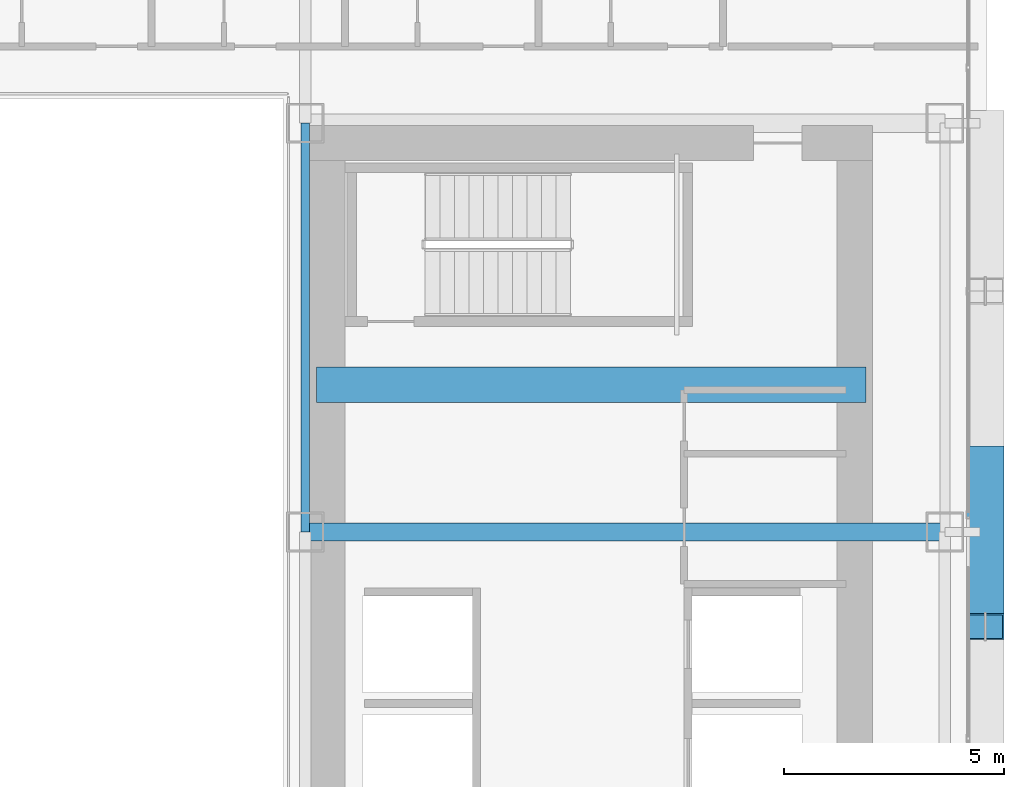
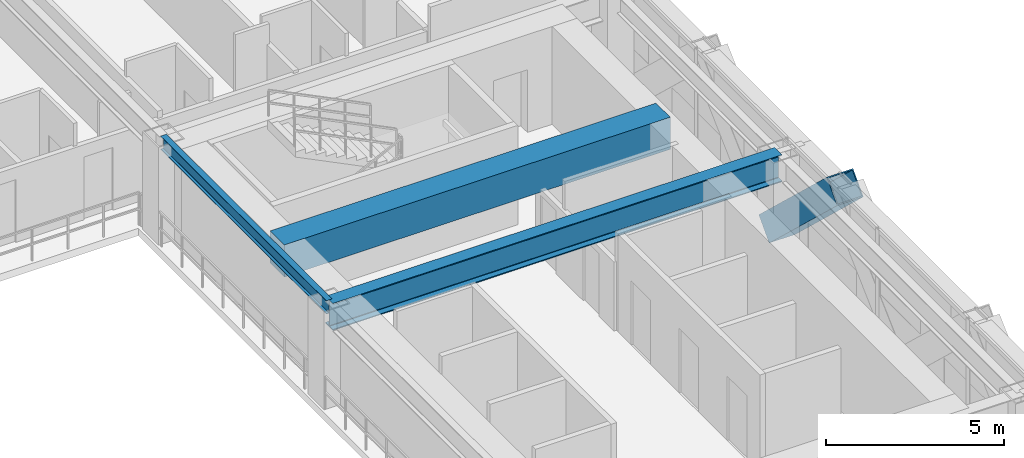
# One storey, part 14 of 36: 3 beams, 1 member.
"""IFC4 building model written with IfcOpenShell, lengths in metres."""

from ifc_helpers import new_model, si_unit, direction, frame, origin, origin_2d, place, context, subcontext, project, spatial, rectangle, hollow_rectangle, i_section, extrude, source, transform, mapped, material, material_profile, profile_set, type_object, element, save


model = new_model("IFC4")

# Units and contexts
model_context = context("Model", 3, precision=1e-05, world=origin(), true_north=direction((0.0, 1.0)))
body_context = subcontext(model_context, "Body", "Model", "MODEL_VIEW")
ifc_project = project(units=[si_unit("LENGTHUNIT", "METRE"), si_unit("AREAUNIT", "SQUARE_METRE"), si_unit("VOLUMEUNIT", "CUBIC_METRE"), si_unit("PLANEANGLEUNIT", "RADIAN"), si_unit("MASSUNIT", "GRAM", prefix="KILO")], contexts=[model_context])

# Site, building, storey
site_placement = place(None, origin())
site = spatial("IfcSite", under=ifc_project, at=site_placement, CompositionType="ELEMENT")
building_placement = place(site_placement, origin())
building = spatial("IfcBuilding", under=site, at=building_placement, Name="Ocotamira Hotel", CompositionType="ELEMENT")
storey_placement = place(building_placement, frame((0.0, 0.0, 42.0)))
storey = spatial("IfcBuildingStorey", under=building, at=storey_placement, Name="L09", CompositionType="ELEMENT", Elevation=42.0)

# Beams
ifc_material_1 = material(Name="Concrete C60/75", Category="concrete")
ifc_material_profile_1 = material_profile(ifc_material_1, rectangle(XDim=0.800048828125, YDim=1.10009765625, at=origin_2d()), Name="RC800X1100")
ifc_profile_set_1 = profile_set([ifc_material_profile_1], Name="Concrete C60/75")
beam_type_1 = type_object("IfcBeamType", Name="BM-LINK-RC800", PredefinedType="LINTEL", material=ifc_profile_set_1)
shared_shape_1 = source(origin(), body_context, "Body", "SweptSolid", [
    extrude(rectangle(XDim=0.800048828125, YDim=1.10009765625, at=origin_2d()), origin(), (0.0, 0.0, 1.0), 12.5),
])
beam_1_placement = place(storey_placement, frame((40.75, 31.5, 2.800048828125), z_axis=(1.0, 0.0, 0.0), x_axis=(0.0, 1.0, 0.0)))
element("IfcBeam", 1, at=beam_1_placement, inside=storey, type_object=beam_type_1, Name="L09 East Core Coupling Beam", PredefinedType="LINTEL", context=body_context, shape_type="MappedRepresentation", body=[
    mapped(shared_shape_1, transform((0.0, 0.0, 0.0), scale=1.0)),
])
ifc_material_2 = material(Name="Steel ASTM A992 Grade 50", Category="steel")
ifc_material_profile_2 = material_profile(ifc_material_2, i_section(OverallWidth=0.41796875, OverallDepth=0.927001953125, WebThickness=0.019287109375, FlangeThickness=0.031982421875, FilletRadius=0.02392578125, at=origin_2d()), Name="W36X231")
ifc_profile_set_2 = profile_set([ifc_material_profile_2], Name="Steel ASTM A992 Grade 50")
beam_type_2 = type_object("IfcBeamType", Name="BM-GIRD-W36X231", PredefinedType="BEAM", material=ifc_profile_set_2)
shared_shape_2 = source(origin(), body_context, "Body", "SweptSolid", [
    extrude(i_section(OverallWidth=0.41796875, OverallDepth=0.927001953125, WebThickness=0.019287109375, FlangeThickness=0.031982421875, FilletRadius=0.02392578125, at=origin_2d()), origin(), (0.0, 0.0, 1.0), 14.550048828125),
])
beam_2_placement = place(storey_placement, frame((40.5, 28.14990234375, 2.886474609375), z_axis=(1.0, 0.0, 0.0), x_axis=(0.0, 1.0, 0.0)))
element("IfcBeam", 2, at=beam_2_placement, inside=storey, type_object=beam_type_2, Name="L09 Girder Y28.15 X40.5-55.05", PredefinedType="BEAM", context=body_context, shape_type="MappedRepresentation", body=[
    mapped(shared_shape_2, transform((0.0, 0.0, 0.0), scale=1.0)),
])
ifc_material_profile_3 = material_profile(ifc_material_2, i_section(OverallWidth=0.18994140625, OverallDepth=0.45703125, WebThickness=0.009033203125, FlangeThickness=0.014404296875, FilletRadius=0.010009765625, at=origin_2d()), Name="W18X50")
ifc_profile_set_3 = profile_set([ifc_material_profile_3], Name="Steel ASTM A992 Grade 50")
beam_type_3 = type_object("IfcBeamType", Name="BM-SEC-W18X50", PredefinedType="JOIST", material=ifc_profile_set_3)
shared_shape_3 = source(origin(), body_context, "Body", "SweptSolid", [
    extrude(i_section(OverallWidth=0.18994140625, OverallDepth=0.45703125, WebThickness=0.009033203125, FlangeThickness=0.014404296875, FilletRadius=0.010009765625, at=origin_2d()), origin(), (0.0, 0.0, 1.0), 9.300048828125),
])
beam_3_placement = place(storey_placement, frame((40.5, 28.14990234375, 3.12158203125), z_axis=(0.0, 1.0, 0.0), x_axis=(-1.0, 0.0, 0.0)))
element("IfcBeam", 3, at=beam_3_placement, inside=storey, type_object=beam_type_3, Name="L09 Beam X40.5 Y28.15-37.45", PredefinedType="JOIST", context=body_context, shape_type="MappedRepresentation", body=[
    mapped(shared_shape_3, transform((0.0, 0.0, 0.0), scale=1.0)),
])

# Member
ifc_material_3 = material(Name="Pale-metal coated steel ASTM A913 Grade 65", Category="steel")
ifc_material_profile_4 = material_profile(ifc_material_3, hollow_rectangle(XDim=0.85009765625, YDim=0.85009765625, WallThickness=0.035888671875, at=origin_2d()), Name="BOX850X850X36")
ifc_profile_set_4 = profile_set([ifc_material_profile_4], Name="Pale-metal coated steel ASTM A913 Grade 65")
member_type = type_object("IfcMemberType", Name="MEM-EXO-BOX850", PredefinedType="BRACE", material=ifc_profile_set_4)
shared_shape_4 = source(origin(), body_context, "Body", "SweptSolid", [
    extrude(hollow_rectangle(XDim=0.85009765625, YDim=0.85009765625, WallThickness=0.035888671875, at=origin_2d()), origin(), (0.0, 0.0, 1.0), 5.24658203125),
])
member_placement = place(storey_placement, frame((55.969970703125, 29.816650390625, -0.5), z_axis=(0.0, -0.727442733726, 0.686168397078), x_axis=(1.0, 0.0, 0.0)))
element("IfcMember", 4, at=member_placement, inside=storey, type_object=member_type, Name="L09 Exoskeleton Diagrid E1.2", PredefinedType="BRACE", context=body_context, shape_type="MappedRepresentation", body=[
    mapped(shared_shape_4, transform((0.0, 0.0, 0.0), scale=1.0)),
])

save(model, "model.ifc")
